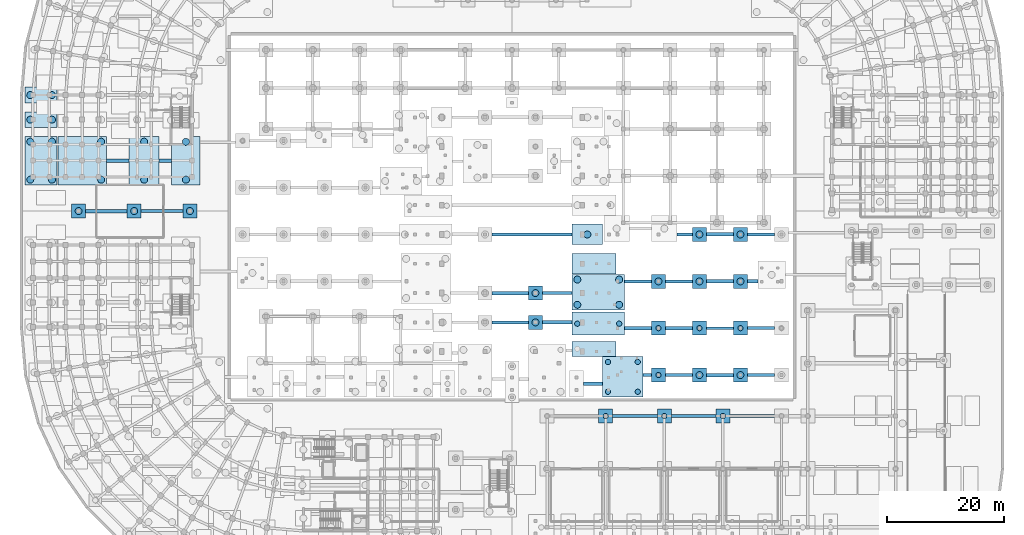
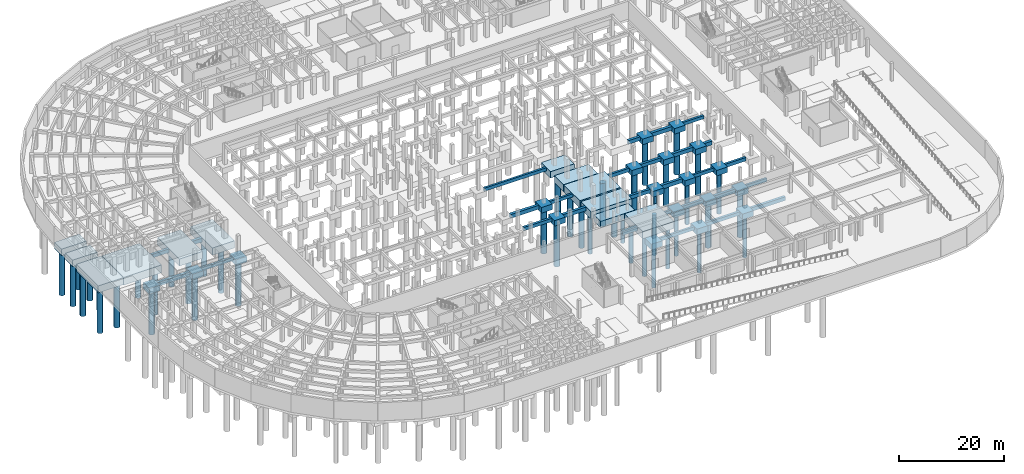
# One storey, part 5 of 53: 59 footings, 44 piles.
"""IFC4 building model written with IfcOpenShell, lengths in metres."""

from ifc_helpers import new_model, si_unit, direction, frame, origin, origin_2d, place, context, subcontext, project, spatial, rectangle, circle, extrude, material, material_profile, profile_set, type_object, element, save


model = new_model("IFC4")

# Units and contexts
model_context = context("Model", 3, precision=1e-05, world=origin(), true_north=direction((0.0, 1.0)))
body_context = subcontext(model_context, "Body", "Model", "MODEL_VIEW")
ifc_project = project(units=[si_unit("LENGTHUNIT", "METRE"), si_unit("AREAUNIT", "SQUARE_METRE"), si_unit("VOLUMEUNIT", "CUBIC_METRE"), si_unit("PLANEANGLEUNIT", "RADIAN"), si_unit("MASSUNIT", "GRAM", prefix="KILO")], contexts=[model_context])

# Site, building, storey
site_placement = place(None, origin())
site = spatial("IfcSite", under=ifc_project, at=site_placement, CompositionType="ELEMENT")
building_placement = place(site_placement, origin())
building = spatial("IfcBuilding", under=site, at=building_placement, Name="Kiranvali Square Residences", CompositionType="ELEMENT")
storey_placement = place(building_placement, frame((0.0, 0.0, -4.5)))
storey = spatial("IfcBuildingStorey", under=building, at=storey_placement, Name="B1", CompositionType="ELEMENT", Elevation=-4.5)

# Footings
ifc_material = material(Name="Concrete M40 (40 MPa)", Category="concrete")
footing_type_1 = type_object("IfcFootingType", Name="FTG-PILE_CAP-240x240x130", PredefinedType="PILE_CAP", material=ifc_material)
for number, where, z_axis, x_axis, name in (
    (1, (100.0, 33.0, -1.7998046875), (0.0, 0.0, 1.0), (1.0, 0.0, 0.0), "B1 pile cap 076"),
    (2, (110.0, 33.0, -1.7998046875), (0.0, 0.0, 1.0), (1.0, 0.0, 0.0), "B1 pile cap 077"),
    (3, (120.0, 33.0, -1.7998046875), (0.0, 0.0, 1.0), (1.0, 0.0, 0.0), "B1 pile cap 078"),
    (4, (109.0, 40.0, -1.7998046875), (0.0, 0.0, 1.0), (1.0, 0.0, 0.0), "B1 pile cap 096"),
    (5, (116.0, 40.0, -1.7998046875), (0.0, 0.0, 1.0), (1.0, 0.0, 0.0), "B1 pile cap 097"),
    (6, (123.0, 40.0, -1.7998046875), (0.0, 0.0, 1.0), (1.0, 0.0, 0.0), "B1 pile cap 098"),
    (7, (109.0, 48.0, -1.7998046875), (0.0, 0.0, 1.0), (1.0, 0.0, 0.0), "B1 pile cap 110"),
    (8, (116.0, 48.0, -1.7998046875), (0.0, 0.0, 1.0), (1.0, 0.0, 0.0), "B1 pile cap 111"),
    (9, (123.0, 48.0, -1.7998046875), (0.0, 0.0, 1.0), (1.0, 0.0, 0.0), "B1 pile cap 112"),
    (10, (88.0, 49.0, -1.7998046875), (0.0, 0.0, 1.0), (1.0, 0.0, 0.0), "B1 pile cap 121"),
    (11, (88.0, 54.0, -1.7998046875), (0.0, 0.0, 1.0), (1.0, 0.0, 0.0), "B1 pile cap 135"),
    (12, (109.0, 56.0, -1.7998046875), (0.0, 0.0, 1.0), (1.0, 0.0, 0.0), "B1 pile cap 145"),
    (13, (116.0, 56.0, -1.7998046875), (0.0, 0.0, 1.0), (1.0, 0.0, 0.0), "B1 pile cap 146"),
    (14, (123.0, 56.0, -1.7998046875), (0.0, 0.0, 1.0), (1.0, 0.0, 0.0), "B1 pile cap 147"),
    (15, (116.0, 64.0, -1.7998046875), (0.0, 0.0, 1.0), (1.0, 0.0, 0.0), "B1 pile cap 162"),
    (16, (123.0, 64.0, -1.7998046875), (0.0, 0.0, 1.0), (1.0, 0.0, 0.0), "B1 pile cap 163"),
    (17, (10.0, 68.0, -1.7998046875), (0.0, 0.0, 1.0), (1.0, 0.0, 0.0), "B1 pile cap 172"),
    (18, (19.5, 68.0, -1.7998046875), (0.0, 0.0, 1.0), (1.0, 0.0, 0.0), "B1 pile cap 173"),
    (19, (29.0, 68.0, -1.7998046875), (0.0, 0.0, 1.0), (1.0, 0.0, 0.0), "B1 pile cap 174"),
):
    element("IfcFooting", number, at=place(storey_placement, frame(where, z_axis=z_axis, x_axis=x_axis)), inside=storey, type_object=footing_type_1, Name=name, PredefinedType="PILE_CAP", context=body_context, shape_type="SweptSolid", body=[
        extrude(rectangle(XDim=2.39990234375, YDim=2.39990234375, at=origin_2d()), origin(), (0.0, 0.0, 1.0), 1.300048828125),
    ])
footing_type_2 = type_object("IfcFootingType", Name="FTG-PILE_CAP-522x350x150", PredefinedType="PILE_CAP", material=ifc_material)
footing_1_placement = place(storey_placement, frame((96.860107421875, 64.0, -2.0), z_axis=(0.0, 0.0, 1.0), x_axis=(1.0, 0.0, 0.0)))
element("IfcFooting", 20, at=footing_1_placement, inside=storey, type_object=footing_type_2, Name="B1 pile cap 154", PredefinedType="PILE_CAP", context=body_context, shape_type="SweptSolid", body=[
    extrude(rectangle(XDim=5.219970703125, YDim=3.5, at=origin_2d()), origin(), (0.0, 0.0, 1.0), 1.5),
])
footing_type_3 = type_object("IfcFootingType", Name="FTG-PILE_CAP-550x270x150", PredefinedType="PILE_CAP", material=ifc_material)
for number, where, z_axis, x_axis, name in (
    (21, (3.60009765625, 83.60009765625, -2.0), (0.0, 0.0, 1.0), (1.0, 0.0, 0.0), "B1 pile cap 218"),
    (22, (3.60009765625, 87.800048828125, -2.0), (0.0, 0.0, 1.0), (1.0, 0.0, 0.0), "B1 pile cap 231"),
):
    element("IfcFooting", number, at=place(storey_placement, frame(where, z_axis=z_axis, x_axis=x_axis)), inside=storey, type_object=footing_type_3, Name=name, PredefinedType="PILE_CAP", context=body_context, shape_type="SweptSolid", body=[
        extrude(rectangle(XDim=5.5, YDim=2.699951171875, at=origin_2d()), origin(), (0.0, 0.0, 1.0), 1.5),
    ])
footing_type_4 = type_object("IfcFootingType", Name="FTG-PILE_CAP-688x688x165", PredefinedType="PILE_CAP", material=ifc_material)
footing_2_placement = place(storey_placement, frame((102.925048828125, 39.6923828125, -2.14990234375), z_axis=(0.0, 0.0, 1.0), x_axis=(0.0, 1.0, 0.0)))
element("IfcFooting", 23, at=footing_2_placement, inside=storey, type_object=footing_type_4, Name="B1 pile cap 094", PredefinedType="PILE_CAP", context=body_context, shape_type="SweptSolid", body=[
    extrude(rectangle(XDim=6.885009765625, YDim=6.884033203125, at=origin_2d()), origin(), (0.0, 0.0, 1.0), 1.64990234375),
])
footing_type_5 = type_object("IfcFootingType", Name="FTG-PILE_CAP-750x256x150", PredefinedType="PILE_CAP", material=ifc_material)
footing_3_placement = place(storey_placement, frame((98.0, 44.472412109375, -2.0), z_axis=(0.0, 0.0, 1.0), x_axis=(1.0, 0.0, 0.0)))
element("IfcFooting", 24, at=footing_3_placement, inside=storey, type_object=footing_type_5, Name="B1 pile cap 107", PredefinedType="PILE_CAP", context=body_context, shape_type="SweptSolid", body=[
    extrude(rectangle(XDim=7.5, YDim=2.554931640625, at=origin_2d()), origin(), (0.0, 0.0, 1.0), 1.5),
])
footing_type_6 = type_object("IfcFootingType", Name="FTG-PILE_CAP-750x350x165", PredefinedType="PILE_CAP", material=ifc_material)
footing_4_placement = place(storey_placement, frame((98.0, 59.0, -2.14990234375), z_axis=(0.0, 0.0, 1.0), x_axis=(1.0, 0.0, 0.0)))
element("IfcFooting", 25, at=footing_4_placement, inside=storey, type_object=footing_type_6, Name="B1 pile cap 152", PredefinedType="PILE_CAP", context=body_context, shape_type="SweptSolid", body=[
    extrude(rectangle(XDim=7.5, YDim=3.5, at=origin_2d()), origin(), (0.0, 0.0, 1.0), 1.64990234375),
])
footing_type_7 = type_object("IfcFootingType", Name="FTG-PILE_CAP-828x485x165", PredefinedType="PILE_CAP", material=ifc_material)
footing_5_placement = place(storey_placement, frame((28.324951171875, 76.58740234375, -2.14990234375), z_axis=(0.0, 0.0, 1.0), x_axis=(0.0, 1.0, 0.0)))
element("IfcFooting", 26, at=footing_5_placement, inside=storey, type_object=footing_type_7, Name="B1 pile cap 191", PredefinedType="PILE_CAP", context=body_context, shape_type="SweptSolid", body=[
    extrude(rectangle(XDim=8.27490234375, YDim=4.85009765625, at=origin_2d()), origin(), (0.0, 0.0, 1.0), 1.64990234375),
])
footing_type_8 = type_object("IfcFootingType", Name="FTG-PILE_CAP-830x510x165", PredefinedType="PILE_CAP", material=ifc_material)
footing_6_placement = place(storey_placement, frame((21.199951171875, 76.60009765625, -2.14990234375), z_axis=(0.0, 0.0, 1.0), x_axis=(0.0, 1.0, 0.0)))
element("IfcFooting", 27, at=footing_6_placement, inside=storey, type_object=footing_type_8, Name="B1 pile cap 190", PredefinedType="PILE_CAP", context=body_context, shape_type="SweptSolid", body=[
    extrude(rectangle(XDim=8.300048828125, YDim=5.10009765625, at=origin_2d()), origin(), (0.0, 0.0, 1.0), 1.64990234375),
])
footing_type_9 = type_object("IfcFootingType", Name="FTG-PILE_CAP-830x550x165", PredefinedType="PILE_CAP", material=ifc_material)
footing_7_placement = place(storey_placement, frame((3.60009765625, 76.60009765625, -2.14990234375), z_axis=(0.0, 0.0, 1.0), x_axis=(0.0, 1.0, 0.0)))
element("IfcFooting", 28, at=footing_7_placement, inside=storey, type_object=footing_type_9, Name="B1 pile cap 188", PredefinedType="PILE_CAP", context=body_context, shape_type="SweptSolid", body=[
    extrude(rectangle(XDim=8.300048828125, YDim=5.5, at=origin_2d()), origin(), (0.0, 0.0, 1.0), 1.64990234375),
])
footing_type_10 = type_object("IfcFootingType", Name="FTG-PILE_CAP-830x830x180", PredefinedType="PILE_CAP", material=ifc_material)
footing_8_placement = place(storey_placement, frame((10.60009765625, 76.60009765625, -2.2998046875), z_axis=(0.0, 0.0, 1.0), x_axis=(1.0, 0.0, 0.0)))
element("IfcFooting", 29, at=footing_8_placement, inside=storey, type_object=footing_type_10, Name="B1 pile cap 189", PredefinedType="PILE_CAP", context=body_context, shape_type="SweptSolid", body=[
    extrude(rectangle(XDim=8.300048828125, YDim=8.300048828125, at=origin_2d()), origin(), (0.0, 0.0, 1.0), 1.800048828125),
])
footing_type_11 = type_object("IfcFootingType", Name="FTG-PILE_CAP-895x395x165", PredefinedType="PILE_CAP", material=ifc_material)
footing_9_placement = place(storey_placement, frame((98.72509765625, 48.77490234375, -2.14990234375), z_axis=(0.0, 0.0, 1.0), x_axis=(1.0, 0.0, 0.0)))
element("IfcFooting", 30, at=footing_9_placement, inside=storey, type_object=footing_type_11, Name="B1 pile cap 109", PredefinedType="PILE_CAP", context=body_context, shape_type="SweptSolid", body=[
    extrude(rectangle(XDim=8.949951171875, YDim=3.949951171875, at=origin_2d()), origin(), (0.0, 0.0, 1.0), 1.64990234375),
])
footing_type_12 = type_object("IfcFootingType", Name="FTG-PILE_CAP-895x610x165", PredefinedType="PILE_CAP", material=ifc_material)
footing_10_placement = place(storey_placement, frame((98.72509765625, 54.14990234375, -2.14990234375), z_axis=(0.0, 0.0, 1.0), x_axis=(1.0, 0.0, 0.0)))
element("IfcFooting", 31, at=footing_10_placement, inside=storey, type_object=footing_type_12, Name="B1 pile cap 130", PredefinedType="PILE_CAP", context=body_context, shape_type="SweptSolid", body=[
    extrude(rectangle(XDim=8.949951171875, YDim=6.10009765625, at=origin_2d()), origin(), (0.0, 0.0, 1.0), 1.64990234375),
])
ifc_material_profile_1 = material_profile(ifc_material, rectangle(XDim=0.449951171875, YDim=0.75, at=origin_2d()), Name="GB 450x750")
ifc_profile_set_1 = profile_set([ifc_material_profile_1], Name="Concrete M40 (40 MPa)")
footing_type_13 = type_object("IfcFootingType", Name="GB-M40-450x750", PredefinedType="FOOTING_BEAM", material=ifc_profile_set_1)
footing_11_placement = place(storey_placement, frame((101.199951171875, 33.0, -0.875), z_axis=(1.0, 0.0, 0.0), x_axis=(0.0, 1.0, 0.0)))
element("IfcFooting", 32, at=footing_11_placement, inside=storey, type_object=footing_type_13, Name="Continuous foundation ground beam GB-060", PredefinedType="FOOTING_BEAM", context=body_context, shape_type="SweptSolid", body=[
    extrude(rectangle(XDim=0.449951171875, YDim=0.75, at=origin_2d()), origin(), (0.0, 0.0, 1.0), 7.60009765625),
])
footing_12_placement = place(storey_placement, frame((106.366943359375, 40.0, -0.875), z_axis=(1.0, 0.0, 0.0), x_axis=(0.0, 1.0, 0.0)))
element("IfcFooting", 33, at=footing_12_placement, inside=storey, type_object=footing_type_13, Name="Continuous foundation ground beam GB-076", PredefinedType="FOOTING_BEAM", context=body_context, shape_type="SweptSolid", body=[
    extrude(rectangle(XDim=0.449951171875, YDim=0.75, at=origin_2d()), origin(), (0.0, 0.0, 1.0), 1.43310546875),
])
for number, where, z_axis, x_axis, name in (
    (34, (124.199951171875, 40.0, -0.875), (1.0, 0.0, 0.0), (0.0, 1.0, 0.0), "Continuous foundation ground beam GB-080"),
    (35, (117.199951171875, 48.0, -0.875), (1.0, 0.0, 0.0), (0.0, 1.0, 0.0), "Continuous foundation ground beam GB-088"),
):
    element("IfcFooting", number, at=place(storey_placement, frame(where, z_axis=z_axis, x_axis=x_axis)), inside=storey, type_object=footing_type_13, Name=name, PredefinedType="FOOTING_BEAM", context=body_context, shape_type="SweptSolid", body=[
        extrude(rectangle(XDim=0.449951171875, YDim=0.75, at=origin_2d()), origin(), (0.0, 0.0, 1.0), 4.60009765625),
    ])
footing_13_placement = place(storey_placement, frame((89.199951171875, 54.0, -0.875), z_axis=(1.0, 0.0, 0.0), x_axis=(0.0, 1.0, 0.0)))
element("IfcFooting", 36, at=footing_13_placement, inside=storey, type_object=footing_type_13, Name="Continuous foundation ground beam GB-104", PredefinedType="FOOTING_BEAM", context=body_context, shape_type="SweptSolid", body=[
    extrude(rectangle(XDim=0.449951171875, YDim=0.75, at=origin_2d()), origin(), (0.0, 0.0, 1.0), 5.050048828125),
])
footing_14_placement = place(storey_placement, frame((80.60009765625, 64.0, -0.875), z_axis=(1.0, 0.0, 0.0), x_axis=(0.0, 1.0, 0.0)))
element("IfcFooting", 37, at=footing_14_placement, inside=storey, type_object=footing_type_13, Name="Continuous foundation ground beam GB-124", PredefinedType="FOOTING_BEAM", context=body_context, shape_type="SweptSolid", body=[
    extrude(rectangle(XDim=0.449951171875, YDim=0.75, at=origin_2d()), origin(), (0.0, 0.0, 1.0), 13.64990234375),
])
footing_15_placement = place(storey_placement, frame((124.199951171875, 64.0, -0.875), z_axis=(1.0, 0.0, 0.0), x_axis=(0.0, 1.0, 0.0)))
element("IfcFooting", 38, at=footing_15_placement, inside=storey, type_object=footing_type_13, Name="Continuous foundation ground beam GB-128", PredefinedType="FOOTING_BEAM", context=body_context, shape_type="SweptSolid", body=[
    extrude(rectangle(XDim=0.449951171875, YDim=0.75, at=origin_2d()), origin(), (0.0, 0.0, 1.0), 4.60009765625),
])
footing_16_placement = place(storey_placement, frame((20.699951171875, 68.0, -0.875), z_axis=(1.0, 0.0, 0.0), x_axis=(0.0, 1.0, 0.0)))
element("IfcFooting", 39, at=footing_16_placement, inside=storey, type_object=footing_type_13, Name="Continuous foundation ground beam GB-136", PredefinedType="FOOTING_BEAM", context=body_context, shape_type="SweptSolid", body=[
    extrude(rectangle(XDim=0.449951171875, YDim=0.75, at=origin_2d()), origin(), (0.0, 0.0, 1.0), 7.10009765625),
])
ifc_material_profile_2 = material_profile(ifc_material, rectangle(XDim=0.5, YDim=0.800048828125, at=origin_2d()), Name="GB 500x800")
ifc_profile_set_2 = profile_set([ifc_material_profile_2], Name="Concrete M40 (40 MPa)")
footing_type_14 = type_object("IfcFootingType", Name="GB-M40-500x800", PredefinedType="FOOTING_BEAM", material=ifc_profile_set_2)
footing_17_placement = place(storey_placement, frame((111.199951171875, 33.0, -0.89990234375), z_axis=(1.0, 0.0, 0.0), x_axis=(0.0, 1.0, 0.0)))
element("IfcFooting", 40, at=footing_17_placement, inside=storey, type_object=footing_type_14, Name="Continuous foundation ground beam GB-061", PredefinedType="FOOTING_BEAM", context=body_context, shape_type="SweptSolid", body=[
    extrude(rectangle(XDim=0.5, YDim=0.800048828125, at=origin_2d()), origin(), (0.0, 0.0, 1.0), 7.60009765625),
])
footing_18_placement = place(storey_placement, frame((124.199951171875, 48.0, -0.89990234375), z_axis=(1.0, 0.0, 0.0), x_axis=(0.0, 1.0, 0.0)))
element("IfcFooting", 41, at=footing_18_placement, inside=storey, type_object=footing_type_14, Name="Continuous foundation ground beam GB-089", PredefinedType="FOOTING_BEAM", context=body_context, shape_type="SweptSolid", body=[
    extrude(rectangle(XDim=0.5, YDim=0.800048828125, at=origin_2d()), origin(), (0.0, 0.0, 1.0), 4.60009765625),
])
footing_19_placement = place(storey_placement, frame((80.60009765625, 49.0, -0.89990234375), z_axis=(1.0, 0.0, 0.0), x_axis=(0.0, 1.0, 0.0)))
element("IfcFooting", 42, at=footing_19_placement, inside=storey, type_object=footing_type_14, Name="Continuous foundation ground beam GB-093", PredefinedType="FOOTING_BEAM", context=body_context, shape_type="SweptSolid", body=[
    extrude(rectangle(XDim=0.5, YDim=0.800048828125, at=origin_2d()), origin(), (0.0, 0.0, 1.0), 6.199951171875),
])
for number, where, z_axis, x_axis, name in (
    (43, (103.199951171875, 56.0, -0.89990234375), (1.0, 0.0, 0.0), (0.0, 1.0, 0.0), "Continuous foundation ground beam GB-101"),
    (44, (110.199951171875, 56.0, -0.89990234375), (1.0, 0.0, 0.0), (0.0, 1.0, 0.0), "Continuous foundation ground beam GB-113"),
):
    element("IfcFooting", number, at=place(storey_placement, frame(where, z_axis=z_axis, x_axis=x_axis)), inside=storey, type_object=footing_type_14, Name=name, PredefinedType="FOOTING_BEAM", context=body_context, shape_type="SweptSolid", body=[
        extrude(rectangle(XDim=0.5, YDim=0.800048828125, at=origin_2d()), origin(), (0.0, 0.0, 1.0), 4.60009765625),
    ])
ifc_material_profile_3 = material_profile(ifc_material, rectangle(XDim=0.550048828125, YDim=0.85009765625, at=origin_2d()), Name="GB 550x850")
ifc_profile_set_3 = profile_set([ifc_material_profile_3], Name="Concrete M40 (40 MPa)")
footing_type_15 = type_object("IfcFootingType", Name="GB-M40-550x850", PredefinedType="FOOTING_BEAM", material=ifc_profile_set_3)
footing_20_placement = place(storey_placement, frame((121.199951171875, 33.0, -0.925048828125), z_axis=(1.0, 0.0, 0.0), x_axis=(0.0, 1.0, 0.0)))
element("IfcFooting", 45, at=footing_20_placement, inside=storey, type_object=footing_type_15, Name="Continuous foundation ground beam GB-062", PredefinedType="FOOTING_BEAM", context=body_context, shape_type="SweptSolid", body=[
    extrude(rectangle(XDim=0.550048828125, YDim=0.85009765625, at=origin_2d()), origin(), (0.0, 0.0, 1.0), 7.60009765625),
])
for number, where, z_axis, x_axis, name in (
    (46, (110.199951171875, 40.0, -0.925048828125), (1.0, 0.0, 0.0), (0.0, 1.0, 0.0), "Continuous foundation ground beam GB-078"),
    (47, (103.199951171875, 48.0, -0.925048828125), (1.0, 0.0, 0.0), (0.0, 1.0, 0.0), "Continuous foundation ground beam GB-086"),
):
    element("IfcFooting", number, at=place(storey_placement, frame(where, z_axis=z_axis, x_axis=x_axis)), inside=storey, type_object=footing_type_15, Name=name, PredefinedType="FOOTING_BEAM", context=body_context, shape_type="SweptSolid", body=[
        extrude(rectangle(XDim=0.550048828125, YDim=0.85009765625, at=origin_2d()), origin(), (0.0, 0.0, 1.0), 4.60009765625),
    ])
footing_21_placement = place(storey_placement, frame((89.199951171875, 49.0, -0.925048828125), z_axis=(1.0, 0.0, 0.0), x_axis=(0.0, 1.0, 0.0)))
element("IfcFooting", 48, at=footing_21_placement, inside=storey, type_object=footing_type_15, Name="Continuous foundation ground beam GB-094", PredefinedType="FOOTING_BEAM", context=body_context, shape_type="SweptSolid", body=[
    extrude(rectangle(XDim=0.550048828125, YDim=0.85009765625, at=origin_2d()), origin(), (0.0, 0.0, 1.0), 5.050048828125),
])
footing_22_placement = place(storey_placement, frame((117.199951171875, 56.0, -0.925048828125), z_axis=(1.0, 0.0, 0.0), x_axis=(0.0, 1.0, 0.0)))
element("IfcFooting", 49, at=footing_22_placement, inside=storey, type_object=footing_type_15, Name="Continuous foundation ground beam GB-114", PredefinedType="FOOTING_BEAM", context=body_context, shape_type="SweptSolid", body=[
    extrude(rectangle(XDim=0.550048828125, YDim=0.85009765625, at=origin_2d()), origin(), (0.0, 0.0, 1.0), 4.60009765625),
])
footing_23_placement = place(storey_placement, frame((112.199951171875, 64.0, -0.925048828125), z_axis=(1.0, 0.0, 0.0), x_axis=(0.0, 1.0, 0.0)))
element("IfcFooting", 50, at=footing_23_placement, inside=storey, type_object=footing_type_15, Name="Continuous foundation ground beam GB-126", PredefinedType="FOOTING_BEAM", context=body_context, shape_type="SweptSolid", body=[
    extrude(rectangle(XDim=0.550048828125, YDim=0.85009765625, at=origin_2d()), origin(), (0.0, 0.0, 1.0), 2.60009765625),
])
footing_24_placement = place(storey_placement, frame((14.75, 76.60009765625, -0.925048828125), z_axis=(1.0, 0.0, 0.0), x_axis=(0.0, 1.0, 0.0)))
element("IfcFooting", 51, at=footing_24_placement, inside=storey, type_object=footing_type_15, Name="Continuous foundation ground beam GB-146", PredefinedType="FOOTING_BEAM", context=body_context, shape_type="SweptSolid", body=[
    extrude(rectangle(XDim=0.550048828125, YDim=0.85009765625, at=origin_2d()), origin(), (0.0, 0.0, 1.0), 3.89990234375),
])
ifc_material_profile_4 = material_profile(ifc_material, rectangle(XDim=0.60009765625, YDim=0.89990234375, at=origin_2d()), Name="GB 600x900")
ifc_profile_set_4 = profile_set([ifc_material_profile_4], Name="Concrete M40 (40 MPa)")
footing_type_16 = type_object("IfcFootingType", Name="GB-M40-600x900", PredefinedType="FOOTING_BEAM", material=ifc_profile_set_4)
footing_25_placement = place(storey_placement, frame((96.199951171875, 38.5, -0.949951171875), z_axis=(1.0, 0.0, 0.0), x_axis=(0.0, 1.0, 0.0)))
element("IfcFooting", 52, at=footing_25_placement, inside=storey, type_object=footing_type_16, Name="Continuous foundation ground beam GB-075", PredefinedType="FOOTING_BEAM", context=body_context, shape_type="SweptSolid", body=[
    extrude(rectangle(XDim=0.60009765625, YDim=0.89990234375, at=origin_2d()), origin(), (0.0, 0.0, 1.0), 3.282958984375),
])
for number, where, z_axis, x_axis, name in (
    (53, (117.199951171875, 40.0, -0.949951171875), (1.0, 0.0, 0.0), (0.0, 1.0, 0.0), "Continuous foundation ground beam GB-079"),
    (54, (110.199951171875, 48.0, -0.949951171875), (1.0, 0.0, 0.0), (0.0, 1.0, 0.0), "Continuous foundation ground beam GB-087"),
):
    element("IfcFooting", number, at=place(storey_placement, frame(where, z_axis=z_axis, x_axis=x_axis)), inside=storey, type_object=footing_type_16, Name=name, PredefinedType="FOOTING_BEAM", context=body_context, shape_type="SweptSolid", body=[
        extrude(rectangle(XDim=0.60009765625, YDim=0.89990234375, at=origin_2d()), origin(), (0.0, 0.0, 1.0), 4.60009765625),
    ])
footing_26_placement = place(storey_placement, frame((80.60009765625, 54.0, -0.949951171875), z_axis=(1.0, 0.0, 0.0), x_axis=(0.0, 1.0, 0.0)))
element("IfcFooting", 55, at=footing_26_placement, inside=storey, type_object=footing_type_16, Name="Continuous foundation ground beam GB-103", PredefinedType="FOOTING_BEAM", context=body_context, shape_type="SweptSolid", body=[
    extrude(rectangle(XDim=0.60009765625, YDim=0.89990234375, at=origin_2d()), origin(), (0.0, 0.0, 1.0), 6.199951171875),
])
footing_27_placement = place(storey_placement, frame((124.199951171875, 56.0, -0.949951171875), z_axis=(1.0, 0.0, 0.0), x_axis=(0.0, 1.0, 0.0)))
element("IfcFooting", 56, at=footing_27_placement, inside=storey, type_object=footing_type_16, Name="Continuous foundation ground beam GB-115", PredefinedType="FOOTING_BEAM", context=body_context, shape_type="SweptSolid", body=[
    extrude(rectangle(XDim=0.60009765625, YDim=0.89990234375, at=origin_2d()), origin(), (0.0, 0.0, 1.0), 1.760009765625),
])
footing_28_placement = place(storey_placement, frame((117.199951171875, 64.0, -0.949951171875), z_axis=(1.0, 0.0, 0.0), x_axis=(0.0, 1.0, 0.0)))
element("IfcFooting", 57, at=footing_28_placement, inside=storey, type_object=footing_type_16, Name="Continuous foundation ground beam GB-127", PredefinedType="FOOTING_BEAM", context=body_context, shape_type="SweptSolid", body=[
    extrude(rectangle(XDim=0.60009765625, YDim=0.89990234375, at=origin_2d()), origin(), (0.0, 0.0, 1.0), 4.60009765625),
])
footing_29_placement = place(storey_placement, frame((11.199951171875, 68.0, -0.949951171875), z_axis=(1.0, 0.0, 0.0), x_axis=(0.0, 1.0, 0.0)))
element("IfcFooting", 58, at=footing_29_placement, inside=storey, type_object=footing_type_16, Name="Continuous foundation ground beam GB-135", PredefinedType="FOOTING_BEAM", context=body_context, shape_type="SweptSolid", body=[
    extrude(rectangle(XDim=0.60009765625, YDim=0.89990234375, at=origin_2d()), origin(), (0.0, 0.0, 1.0), 7.10009765625),
])
footing_30_placement = place(storey_placement, frame((23.75, 76.58740234375, -0.949951171875), z_axis=(1.0, 0.0, 0.0), x_axis=(0.0, 1.0, 0.0)))
element("IfcFooting", 59, at=footing_30_placement, inside=storey, type_object=footing_type_16, Name="Continuous foundation ground beam GB-147", PredefinedType="FOOTING_BEAM", context=body_context, shape_type="SweptSolid", body=[
    extrude(rectangle(XDim=0.60009765625, YDim=0.89990234375, at=origin_2d()), origin(), (0.0, 0.0, 1.0), 2.14990234375),
])

# Piles
ifc_material_profile_5 = material_profile(ifc_material, circle(Radius=0.60009765625, at=origin_2d()), Name="BORED PILE 1200")
ifc_profile_set_5 = profile_set([ifc_material_profile_5], Name="Concrete M40 (40 MPa)")
pile_type_1 = type_object("IfcPileType", Name="PILE-BORED-1200", PredefinedType="BORED", material=ifc_profile_set_5)
for number, where, z_axis, x_axis, name in (
    (60, (116.0, 40.0, -1.699951171875), (0.0, 0.0, -1.0), (1.0, 0.0, 0.0), "Bored basalt-socketed pile P-0140"),
    (61, (123.0, 40.0, -1.699951171875), (0.0, 0.0, -1.0), (1.0, 0.0, 0.0), "Bored basalt-socketed pile P-0141"),
    (62, (88.0, 49.0, -1.699951171875), (0.0, 0.0, -1.0), (1.0, 0.0, 0.0), "Bored basalt-socketed pile P-0165"),
):
    element("IfcPile", number, at=place(storey_placement, frame(where, z_axis=z_axis, x_axis=x_axis)), inside=storey, type_object=pile_type_1, Name=name, PredefinedType="BORED", context=body_context, shape_type="SweptSolid", body=[
        extrude(circle(Radius=0.60009765625, at=origin_2d()), origin(), (0.0, 0.0, 1.0), 10.300048828125),
    ])
for number, where, z_axis, x_axis, name in (
    (63, (95.14990234375, 52.0, -2.050048828125), (0.0, 0.0, -1.0), (1.0, 0.0, 0.0), "Bored basalt-socketed pile P-0175"),
    (64, (95.14990234375, 56.300048828125, -2.050048828125), (0.0, 0.0, -1.0), (1.0, 0.0, 0.0), "Bored basalt-socketed pile P-0176"),
    (65, (102.300048828125, 52.0, -2.050048828125), (0.0, 0.0, -1.0), (1.0, 0.0, 0.0), "Bored basalt-socketed pile P-0177"),
    (66, (102.300048828125, 56.300048828125, -2.050048828125), (0.0, 0.0, -1.0), (1.0, 0.0, 0.0), "Bored basalt-socketed pile P-0178"),
):
    element("IfcPile", number, at=place(storey_placement, frame(where, z_axis=z_axis, x_axis=x_axis)), inside=storey, type_object=pile_type_1, Name=name, PredefinedType="BORED", context=body_context, shape_type="SweptSolid", body=[
        extrude(circle(Radius=0.60009765625, at=origin_2d()), origin(), (0.0, 0.0, 1.0), 9.949951171875),
    ])
for number, where, z_axis, x_axis, name in (
    (67, (88.0, 54.0, -1.699951171875), (0.0, 0.0, -1.0), (1.0, 0.0, 0.0), "Bored basalt-socketed pile P-0186"),
    (68, (109.0, 56.0, -1.699951171875), (0.0, 0.0, -1.0), (1.0, 0.0, 0.0), "Bored basalt-socketed pile P-0199"),
    (69, (116.0, 56.0, -1.699951171875), (0.0, 0.0, -1.0), (1.0, 0.0, 0.0), "Bored basalt-socketed pile P-0200"),
    (70, (123.0, 56.0, -1.699951171875), (0.0, 0.0, -1.0), (1.0, 0.0, 0.0), "Bored basalt-socketed pile P-0201"),
):
    element("IfcPile", number, at=place(storey_placement, frame(where, z_axis=z_axis, x_axis=x_axis)), inside=storey, type_object=pile_type_1, Name=name, PredefinedType="BORED", context=body_context, shape_type="SweptSolid", body=[
        extrude(circle(Radius=0.60009765625, at=origin_2d()), origin(), (0.0, 0.0, 1.0), 10.300048828125),
    ])
pile_1_placement = place(storey_placement, frame((96.860107421875, 64.0, -1.89990234375), z_axis=(0.0, 0.0, -1.0), x_axis=(1.0, 0.0, 0.0)))
element("IfcPile", 71, at=pile_1_placement, inside=storey, type_object=pile_type_1, Name="Bored basalt-socketed pile P-0214", PredefinedType="BORED", context=body_context, shape_type="SweptSolid", body=[
    extrude(circle(Radius=0.60009765625, at=origin_2d()), origin(), (0.0, 0.0, 1.0), 10.10009765625),
])
for number, where, z_axis, x_axis, name in (
    (72, (116.0, 64.0, -1.699951171875), (0.0, 0.0, -1.0), (1.0, 0.0, 0.0), "Bored basalt-socketed pile P-0222"),
    (73, (123.0, 64.0, -1.699951171875), (0.0, 0.0, -1.0), (1.0, 0.0, 0.0), "Bored basalt-socketed pile P-0223"),
    (74, (10.0, 68.0, -1.699951171875), (0.0, 0.0, -1.0), (1.0, 0.0, 0.0), "Bored basalt-socketed pile P-0232"),
    (75, (19.5, 68.0, -1.699951171875), (0.0, 0.0, -1.0), (1.0, 0.0, 0.0), "Bored basalt-socketed pile P-0233"),
    (76, (29.0, 68.0, -1.699951171875), (0.0, 0.0, -1.0), (1.0, 0.0, 0.0), "Bored basalt-socketed pile P-0234"),
):
    element("IfcPile", number, at=place(storey_placement, frame(where, z_axis=z_axis, x_axis=x_axis)), inside=storey, type_object=pile_type_1, Name=name, PredefinedType="BORED", context=body_context, shape_type="SweptSolid", body=[
        extrude(circle(Radius=0.60009765625, at=origin_2d()), origin(), (0.0, 0.0, 1.0), 10.300048828125),
    ])
for number, where, z_axis, x_axis, name in (
    (77, (1.75, 73.35009765625, -2.050048828125), (0.0, 0.0, -1.0), (1.0, 0.0, 0.0), "Bored basalt-socketed pile P-0260"),
    (78, (1.75, 79.85009765625, -2.050048828125), (0.0, 0.0, -1.0), (1.0, 0.0, 0.0), "Bored basalt-socketed pile P-0261"),
    (79, (5.449951171875, 73.35009765625, -2.050048828125), (0.0, 0.0, -1.0), (1.0, 0.0, 0.0), "Bored basalt-socketed pile P-0262"),
    (80, (5.449951171875, 79.85009765625, -2.050048828125), (0.0, 0.0, -1.0), (1.0, 0.0, 0.0), "Bored basalt-socketed pile P-0263"),
):
    element("IfcPile", number, at=place(storey_placement, frame(where, z_axis=z_axis, x_axis=x_axis)), inside=storey, type_object=pile_type_1, Name=name, PredefinedType="BORED", context=body_context, shape_type="SweptSolid", body=[
        extrude(circle(Radius=0.60009765625, at=origin_2d()), origin(), (0.0, 0.0, 1.0), 9.949951171875),
    ])
for number, where, z_axis, x_axis, name in (
    (81, (13.85009765625, 73.35009765625, -2.199951171875), (0.0, 0.0, -1.0), (1.0, 0.0, 0.0), "Bored basalt-socketed pile P-0264"),
    (82, (13.85009765625, 79.85009765625, -2.199951171875), (0.0, 0.0, -1.0), (1.0, 0.0, 0.0), "Bored basalt-socketed pile P-0265"),
):
    element("IfcPile", number, at=place(storey_placement, frame(where, z_axis=z_axis, x_axis=x_axis)), inside=storey, type_object=pile_type_1, Name=name, PredefinedType="BORED", context=body_context, shape_type="SweptSolid", body=[
        extrude(circle(Radius=0.60009765625, at=origin_2d()), origin(), (0.0, 0.0, 1.0), 9.800048828125),
    ])
for number, where, z_axis, x_axis, name in (
    (83, (21.199951171875, 73.35009765625, -2.050048828125), (0.0, 0.0, -1.0), (1.0, 0.0, 0.0), "Bored basalt-socketed pile P-0266"),
    (84, (21.199951171875, 79.85009765625, -2.050048828125), (0.0, 0.0, -1.0), (1.0, 0.0, 0.0), "Bored basalt-socketed pile P-0267"),
    (85, (28.324951171875, 73.35009765625, -2.050048828125), (0.0, 0.0, -1.0), (1.0, 0.0, 0.0), "Bored basalt-socketed pile P-0268"),
    (86, (28.324951171875, 79.824951171875, -2.050048828125), (0.0, 0.0, -1.0), (1.0, 0.0, 0.0), "Bored basalt-socketed pile P-0269"),
):
    element("IfcPile", number, at=place(storey_placement, frame(where, z_axis=z_axis, x_axis=x_axis)), inside=storey, type_object=pile_type_1, Name=name, PredefinedType="BORED", context=body_context, shape_type="SweptSolid", body=[
        extrude(circle(Radius=0.60009765625, at=origin_2d()), origin(), (0.0, 0.0, 1.0), 9.949951171875),
    ])
for number, where, z_axis, x_axis, name in (
    (87, (1.75, 83.60009765625, -1.89990234375), (0.0, 0.0, -1.0), (1.0, 0.0, 0.0), "Bored basalt-socketed pile P-0301"),
    (88, (5.449951171875, 83.60009765625, -1.89990234375), (0.0, 0.0, -1.0), (1.0, 0.0, 0.0), "Bored basalt-socketed pile P-0302"),
    (89, (1.75, 87.800048828125, -1.89990234375), (0.0, 0.0, -1.0), (1.0, 0.0, 0.0), "Bored basalt-socketed pile P-0315"),
    (90, (5.449951171875, 87.800048828125, -1.89990234375), (0.0, 0.0, -1.0), (1.0, 0.0, 0.0), "Bored basalt-socketed pile P-0316"),
):
    element("IfcPile", number, at=place(storey_placement, frame(where, z_axis=z_axis, x_axis=x_axis)), inside=storey, type_object=pile_type_1, Name=name, PredefinedType="BORED", context=body_context, shape_type="SweptSolid", body=[
        extrude(circle(Radius=0.60009765625, at=origin_2d()), origin(), (0.0, 0.0, 1.0), 10.10009765625),
    ])
ifc_material_profile_6 = material_profile(ifc_material, circle(Radius=0.449951171875, at=origin_2d()), Name="BORED PILE 900")
ifc_profile_set_6 = profile_set([ifc_material_profile_6], Name="Concrete M40 (40 MPa)")
pile_type_2 = type_object("IfcPileType", Name="PILE-BORED-900", PredefinedType="BORED", material=ifc_profile_set_6)
for number, where, z_axis, x_axis, name in (
    (91, (100.0, 33.0, -1.699951171875), (0.0, 0.0, -1.0), (1.0, 0.0, 0.0), "Bored basalt-socketed pile P-0103"),
    (92, (110.0, 33.0, -1.699951171875), (0.0, 0.0, -1.0), (1.0, 0.0, 0.0), "Bored basalt-socketed pile P-0104"),
    (93, (120.0, 33.0, -1.699951171875), (0.0, 0.0, -1.0), (1.0, 0.0, 0.0), "Bored basalt-socketed pile P-0105"),
):
    element("IfcPile", number, at=place(storey_placement, frame(where, z_axis=z_axis, x_axis=x_axis)), inside=storey, type_object=pile_type_2, Name=name, PredefinedType="BORED", context=body_context, shape_type="SweptSolid", body=[
        extrude(circle(Radius=0.449951171875, at=origin_2d()), origin(), (0.0, 0.0, 1.0), 9.800048828125),
    ])
for number, where, z_axis, x_axis, name in (
    (94, (100.383056640625, 37.14990234375, -2.050048828125), (0.0, 0.0, -1.0), (1.0, 0.0, 0.0), "Bored basalt-socketed pile P-0134"),
    (95, (100.383056640625, 42.235107421875, -2.050048828125), (0.0, 0.0, -1.0), (1.0, 0.0, 0.0), "Bored basalt-socketed pile P-0135"),
    (96, (105.467041015625, 37.14990234375, -2.050048828125), (0.0, 0.0, -1.0), (1.0, 0.0, 0.0), "Bored basalt-socketed pile P-0136"),
    (97, (105.467041015625, 42.235107421875, -2.050048828125), (0.0, 0.0, -1.0), (1.0, 0.0, 0.0), "Bored basalt-socketed pile P-0137"),
):
    element("IfcPile", number, at=place(storey_placement, frame(where, z_axis=z_axis, x_axis=x_axis)), inside=storey, type_object=pile_type_2, Name=name, PredefinedType="BORED", context=body_context, shape_type="SweptSolid", body=[
        extrude(circle(Radius=0.449951171875, at=origin_2d()), origin(), (0.0, 0.0, 1.0), 9.449951171875),
    ])
pile_2_placement = place(storey_placement, frame((109.0, 40.0, -1.699951171875), z_axis=(0.0, 0.0, -1.0), x_axis=(1.0, 0.0, 0.0)))
element("IfcPile", 98, at=pile_2_placement, inside=storey, type_object=pile_type_2, Name="Bored basalt-socketed pile P-0139", PredefinedType="BORED", context=body_context, shape_type="SweptSolid", body=[
    extrude(circle(Radius=0.449951171875, at=origin_2d()), origin(), (0.0, 0.0, 1.0), 9.800048828125),
])
for number, where, z_axis, x_axis, name in (
    (99, (95.14990234375, 48.77490234375, -2.050048828125), (0.0, 0.0, -1.0), (1.0, 0.0, 0.0), "Bored basalt-socketed pile P-0151"),
    (100, (102.300048828125, 48.77490234375, -2.050048828125), (0.0, 0.0, -1.0), (1.0, 0.0, 0.0), "Bored basalt-socketed pile P-0152"),
):
    element("IfcPile", number, at=place(storey_placement, frame(where, z_axis=z_axis, x_axis=x_axis)), inside=storey, type_object=pile_type_2, Name=name, PredefinedType="BORED", context=body_context, shape_type="SweptSolid", body=[
        extrude(circle(Radius=0.449951171875, at=origin_2d()), origin(), (0.0, 0.0, 1.0), 9.449951171875),
    ])
for number, where, z_axis, x_axis, name in (
    (101, (109.0, 48.0, -1.699951171875), (0.0, 0.0, -1.0), (1.0, 0.0, 0.0), "Bored basalt-socketed pile P-0153"),
    (102, (116.0, 48.0, -1.699951171875), (0.0, 0.0, -1.0), (1.0, 0.0, 0.0), "Bored basalt-socketed pile P-0154"),
    (103, (123.0, 48.0, -1.699951171875), (0.0, 0.0, -1.0), (1.0, 0.0, 0.0), "Bored basalt-socketed pile P-0155"),
):
    element("IfcPile", number, at=place(storey_placement, frame(where, z_axis=z_axis, x_axis=x_axis)), inside=storey, type_object=pile_type_2, Name=name, PredefinedType="BORED", context=body_context, shape_type="SweptSolid", body=[
        extrude(circle(Radius=0.449951171875, at=origin_2d()), origin(), (0.0, 0.0, 1.0), 9.800048828125),
    ])

save(model, "model.ifc")
